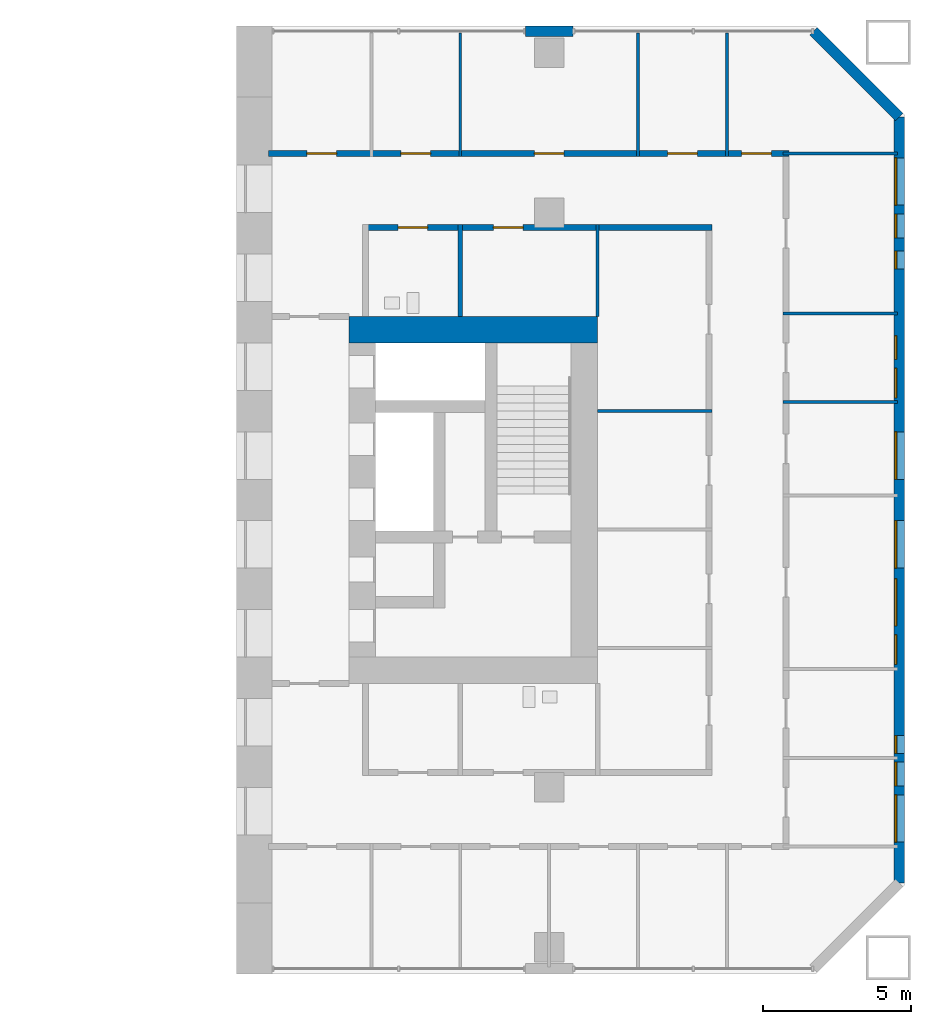
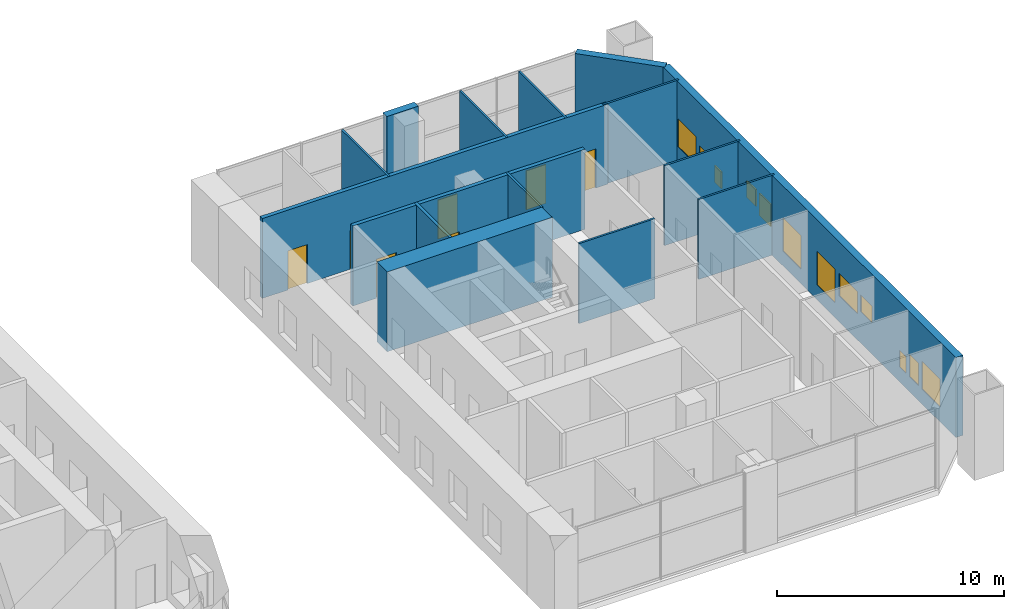
# One storey, part 16 of 19: 15 walls, 12 windows, 7 doors, 19 openings.
"""IFC4 building model written with IfcOpenShell, lengths in metres."""

from ifc_helpers import new_model, si_unit, direction, frame, frame_2d, origin, place, context, subcontext, project, spatial, rectangle, extrude, material, layer, layer_set, type_object, element, fill, save


model = new_model("IFC4")

# Units and contexts
model_context = context("Model", 3, precision=1e-05, world=origin(), true_north=direction((0.0, 1.0)))
body_context = subcontext(model_context, "Body", "Model", "MODEL_VIEW")
ifc_project = project(units=[si_unit("LENGTHUNIT", "METRE"), si_unit("AREAUNIT", "SQUARE_METRE"), si_unit("VOLUMEUNIT", "CUBIC_METRE"), si_unit("PLANEANGLEUNIT", "RADIAN"), si_unit("MASSUNIT", "GRAM", prefix="KILO")], contexts=[model_context])

# Site, building, storey
site_placement = place(None, origin())
site = spatial("IfcSite", under=ifc_project, at=site_placement, CompositionType="ELEMENT")
building_placement = place(site_placement, origin())
building = spatial("IfcBuilding", under=site, at=building_placement, Name="Tuart Gate Housing", CompositionType="ELEMENT")
storey_placement = place(building_placement, frame((0.0, 0.0, 10.10009765625)))
storey = spatial("IfcBuildingStorey", under=building, at=storey_placement, Name="L02", CompositionType="ELEMENT", Elevation=10.10009765625)

# Wall
ifc_material_1 = material(Name="Gypsum board on steel studs", Category="steel")
ifc_layer_1 = layer(ifc_material_1, 0.14990234375)
ifc_layer_set_1 = layer_set([ifc_layer_1], Name="Bathroom wall 150")
wall_type_1 = type_object("IfcWallType", Name="Bathroom wall 150", PredefinedType="PLUMBINGWALL", material=ifc_layer_set_1)
wall_1_placement = place(storey_placement, frame((164.0, 76.199951171875, 0.0), z_axis=(0.0, 0.0, 1.0), x_axis=(0.0, 1.0, 0.0)))
element("IfcWall", 1, at=wall_1_placement, inside=storey, type_object=wall_type_1, Name="Bathroom wall 150", PredefinedType="PLUMBINGWALL", context=body_context, shape_type="SweptSolid", body=[
    extrude(rectangle(XDim=3.10009765625, YDim=0.14990234375, at=frame_2d((1.550048828125, 0.0))), origin(), (0.0, 0.0, 1.0), 4.2998046875),
])

# Wall, openings, windows
ifc_material_2 = material(Name="Brick", Category="masonry")
ifc_layer_2 = layer(ifc_material_2, 0.360107421875)
ifc_layer_set_2 = layer_set([ifc_layer_2], Name="Brick pier and spandrel wall 360")
wall_type_2 = type_object("IfcWallType", Name="Brick pier and spandrel wall 360", PredefinedType="STANDARD", material=ifc_layer_set_2)
wall_2_placement = place(storey_placement, frame((178.820068359375, 57.07470703125, 0.0), z_axis=(0.0, 0.0, 1.0), x_axis=(0.0, 1.0, 0.0)))
wall_2 = element("IfcWall", 2, at=wall_2_placement, inside=storey, type_object=wall_type_2, Name="External wall B-E L02", PredefinedType="STANDARD", context=body_context, shape_type="SweptSolid", body=[
    extrude(rectangle(XDim=25.850830078125, YDim=0.360107421875, at=frame_2d((12.92529296875, 0.0))), origin(), (0.0, 0.0, 1.0), 4.2998046875),
])
opening_1_placement = place(wall_2_placement, frame((1.37548828125, 0.0, 0.800048828125)))
opening_1 = element("IfcOpeningElement", 3, at=opening_1_placement, cuts=wall_2, Name="Opening W1F", PredefinedType="OPENING", context=body_context, shape_type="SweptSolid", body=[
    extrude(rectangle(XDim=1.60009765625, YDim=1.5, at=frame_2d((0.800048828125, 0.75))), frame((0.0, 0.18994140625, 0.0), z_axis=(0.0, -1.0, 0.0), x_axis=(1.0, 0.0, 0.0)), (0.0, 0.0, 1.0), 0.380126953125),
])
opening_2_placement = place(wall_2_placement, frame((4.37548828125, 0.0, 0.800048828125)))
opening_2 = element("IfcOpeningElement", 4, at=opening_2_placement, cuts=wall_2, Name="Opening W1W", PredefinedType="OPENING", context=body_context, shape_type="SweptSolid", body=[
    extrude(rectangle(XDim=0.60009765625, YDim=0.89990234375, at=frame_2d((0.300048828125, 0.449951171875))), frame((0.0, 0.18994140625, 0.0), z_axis=(0.0, -1.0, 0.0), x_axis=(1.0, 0.0, 0.0)), (0.0, 0.0, 1.0), 0.380126953125),
])
opening_3_placement = place(wall_2_placement, frame((7.37548828125, 0.0, 1.699951171875)))
opening_3 = element("IfcOpeningElement", 5, at=opening_3_placement, cuts=wall_2, Name="Opening W1U", PredefinedType="OPENING", context=body_context, shape_type="SweptSolid", body=[
    extrude(rectangle(XDim=1.0, YDim=0.89990234375, at=frame_2d((0.5, 0.449951171875))), frame((0.0, 0.18994140625, 0.0), z_axis=(0.0, -1.0, 0.0), x_axis=(1.0, 0.0, 0.0)), (0.0, 0.0, 1.0), 0.380126953125),
])
opening_4_placement = place(wall_2_placement, frame((10.62548828125, 0.0, 0.800048828125)))
opening_4 = element("IfcOpeningElement", 6, at=opening_4_placement, cuts=wall_2, Name="Opening W1", PredefinedType="OPENING", context=body_context, shape_type="SweptSolid", body=[
    extrude(rectangle(XDim=1.60009765625, YDim=1.800048828125, at=frame_2d((0.800048828125, 0.89990234375))), frame((0.0, 0.18994140625, 0.0), z_axis=(0.0, -1.0, 0.0), x_axis=(1.0, 0.0, 0.0)), (0.0, 0.0, 1.0), 0.380126953125),
])
opening_5_placement = place(wall_2_placement, frame((13.62548828125, 0.0, 0.800048828125)))
opening_5 = element("IfcOpeningElement", 7, at=opening_5_placement, cuts=wall_2, Name="Opening W1", PredefinedType="OPENING", context=body_context, shape_type="SweptSolid", body=[
    extrude(rectangle(XDim=1.60009765625, YDim=1.800048828125, at=frame_2d((0.800048828125, 0.89990234375))), frame((0.0, 0.18994140625, 0.0), z_axis=(0.0, -1.0, 0.0), x_axis=(1.0, 0.0, 0.0)), (0.0, 0.0, 1.0), 0.380126953125),
])
opening_6_placement = place(wall_2_placement, frame((16.37548828125, 0.0, 1.39990234375)))
opening_6 = element("IfcOpeningElement", 8, at=opening_6_placement, cuts=wall_2, Name="Opening W1O", PredefinedType="OPENING", context=body_context, shape_type="SweptSolid", body=[
    extrude(rectangle(XDim=1.0, YDim=1.199951171875, at=frame_2d((0.5, 0.60009765625))), frame((0.0, 0.18994140625, 0.0), z_axis=(0.0, -1.0, 0.0), x_axis=(1.0, 0.0, 0.0)), (0.0, 0.0, 1.0), 0.380126953125),
])
opening_7_placement = place(wall_2_placement, frame((20.725341796875, 0.0, 0.800048828125)))
opening_7 = element("IfcOpeningElement", 9, at=opening_7_placement, cuts=wall_2, Name="Opening W1W", PredefinedType="OPENING", context=body_context, shape_type="SweptSolid", body=[
    extrude(rectangle(XDim=0.60009765625, YDim=0.89990234375, at=frame_2d((0.300048828125, 0.449951171875))), frame((0.0, 0.18994140625, 0.0), z_axis=(0.0, -1.0, 0.0), x_axis=(1.0, 0.0, 0.0)), (0.0, 0.0, 1.0), 0.380126953125),
])
opening_8_placement = place(wall_2_placement, frame((21.775390625, 0.0, 0.800048828125)))
opening_8 = element("IfcOpeningElement", 10, at=opening_8_placement, cuts=wall_2, Name="Opening W1P", PredefinedType="OPENING", context=body_context, shape_type="SweptSolid", body=[
    extrude(rectangle(XDim=0.800048828125, YDim=1.199951171875, at=frame_2d((0.39990234375, 0.60009765625))), frame((0.0, 0.18994140625, 0.0), z_axis=(0.0, -1.0, 0.0), x_axis=(1.0, 0.0, 0.0)), (0.0, 0.0, 1.0), 0.380126953125),
])
opening_9_placement = place(wall_2_placement, frame((3.275390625, 0.0, 0.800048828125)))
opening_9 = element("IfcOpeningElement", 11, at=opening_9_placement, cuts=wall_2, Name="Opening W1P", PredefinedType="OPENING", context=body_context, shape_type="SweptSolid", body=[
    extrude(rectangle(XDim=0.800048828125, YDim=1.199951171875, at=frame_2d((0.39990234375, 0.60009765625))), frame((0.0, 0.18994140625, 0.0), z_axis=(0.0, -1.0, 0.0), x_axis=(1.0, 0.0, 0.0)), (0.0, 0.0, 1.0), 0.380126953125),
])
opening_10_placement = place(wall_2_placement, frame((8.67529296875, 0.0, 1.39990234375)))
opening_10 = element("IfcOpeningElement", 12, at=opening_10_placement, cuts=wall_2, Name="Opening W1L", PredefinedType="OPENING", context=body_context, shape_type="SweptSolid", body=[
    extrude(rectangle(XDim=1.60009765625, YDim=1.199951171875, at=frame_2d((0.800048828125, 0.60009765625))), frame((0.0, 0.18994140625, 0.0), z_axis=(0.0, -1.0, 0.0), x_axis=(1.0, 0.0, 0.0)), (0.0, 0.0, 1.0), 0.380126953125),
])
opening_11_placement = place(wall_2_placement, frame((17.67529296875, 0.0, 1.699951171875)))
opening_11 = element("IfcOpeningElement", 13, at=opening_11_placement, cuts=wall_2, Name="Opening W1V", PredefinedType="OPENING", context=body_context, shape_type="SweptSolid", body=[
    extrude(rectangle(XDim=0.800048828125, YDim=0.89990234375, at=frame_2d((0.39990234375, 0.449951171875))), frame((0.0, 0.18994140625, 0.0), z_axis=(0.0, -1.0, 0.0), x_axis=(1.0, 0.0, 0.0)), (0.0, 0.0, 1.0), 0.380126953125),
])
opening_12_placement = place(wall_2_placement, frame((22.87548828125, 0.0, 0.800048828125)))
opening_12 = element("IfcOpeningElement", 14, at=opening_12_placement, cuts=wall_2, Name="Opening W1F", PredefinedType="OPENING", context=body_context, shape_type="SweptSolid", body=[
    extrude(rectangle(XDim=1.60009765625, YDim=1.5, at=frame_2d((0.800048828125, 0.75))), frame((0.0, 0.18994140625, 0.0), z_axis=(0.0, -1.0, 0.0), x_axis=(1.0, 0.0, 0.0)), (0.0, 0.0, 1.0), 0.380126953125),
])
ifc_material_3 = material(Name="Aluminium frame with clear glass", Category="aluminium")
window_type_1 = type_object("IfcWindowType", Name="Punched window 1000 x 1200", PartitioningType="SINGLE_PANEL", PredefinedType="WINDOW", material=ifc_material_3)
window_1_placement = place(opening_6_placement, origin())
window_1 = element("IfcWindow", 15, at=window_1_placement, inside=storey, type_object=window_type_1, Name="Window W1O", OverallHeight=1.199951171875, OverallWidth=1.0, PartitioningType="SINGLE_PANEL", PredefinedType="WINDOW", context=body_context, shape_type="SweptSolid", body=[
    extrude(rectangle(XDim=1.0, YDim=1.199951171875, at=frame_2d((0.5, 0.60009765625))), frame((0.0, 0.150146484375, 0.0), z_axis=(0.0, -1.0, 0.0), x_axis=(1.0, 0.0, 0.0)), (0.0, 0.0, 1.0), 0.06005859375),
])
fill(opening_6, window_1)
ifc_material_4 = material(Name="Aluminium frame with clear glass", Category="aluminium")
window_type_2 = type_object("IfcWindowType", Name="Punched window 1000 x 900", PartitioningType="SINGLE_PANEL", PredefinedType="WINDOW", material=ifc_material_4)
window_2_placement = place(opening_3_placement, origin())
window_2 = element("IfcWindow", 16, at=window_2_placement, inside=storey, type_object=window_type_2, Name="Window W1U", OverallHeight=0.89990234375, OverallWidth=1.0, PartitioningType="SINGLE_PANEL", PredefinedType="WINDOW", context=body_context, shape_type="SweptSolid", body=[
    extrude(rectangle(XDim=1.0, YDim=0.89990234375, at=frame_2d((0.5, 0.449951171875))), frame((0.0, 0.150146484375, 0.0), z_axis=(0.0, -1.0, 0.0), x_axis=(1.0, 0.0, 0.0)), (0.0, 0.0, 1.0), 0.06005859375),
])
fill(opening_3, window_2)
ifc_material_5 = material(Name="Aluminium frame with clear glass", Category="aluminium")
window_type_3 = type_object("IfcWindowType", Name="Punched window 1600 x 1200", PartitioningType="SINGLE_PANEL", PredefinedType="WINDOW", material=ifc_material_5)
window_3_placement = place(opening_10_placement, origin())
window_3 = element("IfcWindow", 17, at=window_3_placement, inside=storey, type_object=window_type_3, Name="Window W1L", OverallHeight=1.199951171875, OverallWidth=1.60009765625, PartitioningType="SINGLE_PANEL", PredefinedType="WINDOW", context=body_context, shape_type="SweptSolid", body=[
    extrude(rectangle(XDim=1.60009765625, YDim=1.199951171875, at=frame_2d((0.800048828125, 0.60009765625))), frame((0.0, 0.150146484375, 0.0), z_axis=(0.0, -1.0, 0.0), x_axis=(1.0, 0.0, 0.0)), (0.0, 0.0, 1.0), 0.06005859375),
])
fill(opening_10, window_3)
ifc_material_6 = material(Name="Aluminium frame with clear glass", Category="aluminium")
window_type_4 = type_object("IfcWindowType", Name="Punched window 1600 x 1500", PartitioningType="SINGLE_PANEL", PredefinedType="WINDOW", material=ifc_material_6)
window_4_placement = place(opening_1_placement, origin())
window_4 = element("IfcWindow", 18, at=window_4_placement, inside=storey, type_object=window_type_4, Name="Window W1F", OverallHeight=1.5, OverallWidth=1.60009765625, PartitioningType="SINGLE_PANEL", PredefinedType="WINDOW", context=body_context, shape_type="SweptSolid", body=[
    extrude(rectangle(XDim=1.60009765625, YDim=1.5, at=frame_2d((0.800048828125, 0.75))), frame((0.0, 0.150146484375, 0.0), z_axis=(0.0, -1.0, 0.0), x_axis=(1.0, 0.0, 0.0)), (0.0, 0.0, 1.0), 0.06005859375),
])
fill(opening_1, window_4)
window_5_placement = place(opening_12_placement, origin())
window_5 = element("IfcWindow", 19, at=window_5_placement, inside=storey, type_object=window_type_4, Name="Window W1F", OverallHeight=1.5, OverallWidth=1.60009765625, PartitioningType="SINGLE_PANEL", PredefinedType="WINDOW", context=body_context, shape_type="SweptSolid", body=[
    extrude(rectangle(XDim=1.60009765625, YDim=1.5, at=frame_2d((0.800048828125, 0.75))), frame((0.0, 0.150146484375, 0.0), z_axis=(0.0, -1.0, 0.0), x_axis=(1.0, 0.0, 0.0)), (0.0, 0.0, 1.0), 0.06005859375),
])
fill(opening_12, window_5)
ifc_material_7 = material(Name="Aluminium frame with clear glass", Category="aluminium")
window_type_5 = type_object("IfcWindowType", Name="Punched window 1600 x 1800", PartitioningType="SINGLE_PANEL", PredefinedType="WINDOW", material=ifc_material_7)
window_6_placement = place(opening_4_placement, origin())
window_6 = element("IfcWindow", 20, at=window_6_placement, inside=storey, type_object=window_type_5, Name="Window W1", OverallHeight=1.800048828125, OverallWidth=1.60009765625, PartitioningType="SINGLE_PANEL", PredefinedType="WINDOW", context=body_context, shape_type="SweptSolid", body=[
    extrude(rectangle(XDim=1.60009765625, YDim=1.800048828125, at=frame_2d((0.800048828125, 0.89990234375))), frame((0.0, 0.150146484375, 0.0), z_axis=(0.0, -1.0, 0.0), x_axis=(1.0, 0.0, 0.0)), (0.0, 0.0, 1.0), 0.06005859375),
])
fill(opening_4, window_6)
window_7_placement = place(opening_5_placement, origin())
window_7 = element("IfcWindow", 21, at=window_7_placement, inside=storey, type_object=window_type_5, Name="Window W1", OverallHeight=1.800048828125, OverallWidth=1.60009765625, PartitioningType="SINGLE_PANEL", PredefinedType="WINDOW", context=body_context, shape_type="SweptSolid", body=[
    extrude(rectangle(XDim=1.60009765625, YDim=1.800048828125, at=frame_2d((0.800048828125, 0.89990234375))), frame((0.0, 0.150146484375, 0.0), z_axis=(0.0, -1.0, 0.0), x_axis=(1.0, 0.0, 0.0)), (0.0, 0.0, 1.0), 0.06005859375),
])
fill(opening_5, window_7)
ifc_material_8 = material(Name="Aluminium frame with clear glass", Category="aluminium")
window_type_6 = type_object("IfcWindowType", Name="Punched window 600 x 900", PartitioningType="SINGLE_PANEL", PredefinedType="WINDOW", material=ifc_material_8)
window_8_placement = place(opening_2_placement, origin())
window_8 = element("IfcWindow", 22, at=window_8_placement, inside=storey, type_object=window_type_6, Name="Window W1W", OverallHeight=0.89990234375, OverallWidth=0.60009765625, PartitioningType="SINGLE_PANEL", PredefinedType="WINDOW", context=body_context, shape_type="SweptSolid", body=[
    extrude(rectangle(XDim=0.60009765625, YDim=0.89990234375, at=frame_2d((0.300048828125, 0.449951171875))), frame((0.0, 0.150146484375, 0.0), z_axis=(0.0, -1.0, 0.0), x_axis=(1.0, 0.0, 0.0)), (0.0, 0.0, 1.0), 0.06005859375),
])
fill(opening_2, window_8)
window_9_placement = place(opening_7_placement, origin())
window_9 = element("IfcWindow", 23, at=window_9_placement, inside=storey, type_object=window_type_6, Name="Window W1W", OverallHeight=0.89990234375, OverallWidth=0.60009765625, PartitioningType="SINGLE_PANEL", PredefinedType="WINDOW", context=body_context, shape_type="SweptSolid", body=[
    extrude(rectangle(XDim=0.60009765625, YDim=0.89990234375, at=frame_2d((0.300048828125, 0.449951171875))), frame((0.0, 0.150146484375, 0.0), z_axis=(0.0, -1.0, 0.0), x_axis=(1.0, 0.0, 0.0)), (0.0, 0.0, 1.0), 0.06005859375),
])
fill(opening_7, window_9)
ifc_material_9 = material(Name="Aluminium frame with clear glass", Category="aluminium")
window_type_7 = type_object("IfcWindowType", Name="Punched window 800 x 1200", PartitioningType="SINGLE_PANEL", PredefinedType="WINDOW", material=ifc_material_9)
window_10_placement = place(opening_8_placement, origin())
window_10 = element("IfcWindow", 24, at=window_10_placement, inside=storey, type_object=window_type_7, Name="Window W1P", OverallHeight=1.199951171875, OverallWidth=0.800048828125, PartitioningType="SINGLE_PANEL", PredefinedType="WINDOW", context=body_context, shape_type="SweptSolid", body=[
    extrude(rectangle(XDim=0.800048828125, YDim=1.199951171875, at=frame_2d((0.39990234375, 0.60009765625))), frame((0.0, 0.150146484375, 0.0), z_axis=(0.0, -1.0, 0.0), x_axis=(1.0, 0.0, 0.0)), (0.0, 0.0, 1.0), 0.06005859375),
])
fill(opening_8, window_10)
window_11_placement = place(opening_9_placement, origin())
window_11 = element("IfcWindow", 25, at=window_11_placement, inside=storey, type_object=window_type_7, Name="Window W1P", OverallHeight=1.199951171875, OverallWidth=0.800048828125, PartitioningType="SINGLE_PANEL", PredefinedType="WINDOW", context=body_context, shape_type="SweptSolid", body=[
    extrude(rectangle(XDim=0.800048828125, YDim=1.199951171875, at=frame_2d((0.39990234375, 0.60009765625))), frame((0.0, 0.150146484375, 0.0), z_axis=(0.0, -1.0, 0.0), x_axis=(1.0, 0.0, 0.0)), (0.0, 0.0, 1.0), 0.06005859375),
])
fill(opening_9, window_11)
ifc_material_10 = material(Name="Aluminium frame with clear glass", Category="aluminium")
window_type_8 = type_object("IfcWindowType", Name="Punched window 800 x 900", PartitioningType="SINGLE_PANEL", PredefinedType="WINDOW", material=ifc_material_10)
window_12_placement = place(opening_11_placement, origin())
window_12 = element("IfcWindow", 26, at=window_12_placement, inside=storey, type_object=window_type_8, Name="Window W1V", OverallHeight=0.89990234375, OverallWidth=0.800048828125, PartitioningType="SINGLE_PANEL", PredefinedType="WINDOW", context=body_context, shape_type="SweptSolid", body=[
    extrude(rectangle(XDim=0.800048828125, YDim=0.89990234375, at=frame_2d((0.39990234375, 0.449951171875))), frame((0.0, 0.150146484375, 0.0), z_axis=(0.0, -1.0, 0.0), x_axis=(1.0, 0.0, 0.0)), (0.0, 0.0, 1.0), 0.06005859375),
])
fill(opening_11, window_12)

# Walls
wall_3_placement = place(storey_placement, frame((178.820068359375, 82.92529296875, 0.0), z_axis=(0.0, 0.0, 1.0), x_axis=(-0.707106781187, 0.707106781187, 0.0)))
element("IfcWall", 27, at=wall_3_placement, inside=storey, type_object=wall_type_2, Name="External wall B-NE L02", PredefinedType="STANDARD", context=body_context, shape_type="SweptSolid", body=[
    extrude(rectangle(XDim=4.09375, YDim=0.360107421875, at=frame_2d((2.046875, 0.0))), origin(), (0.0, 0.0, 1.0), 4.2998046875),
])
wall_4_placement = place(storey_placement, frame((167.800048828125, 85.820068359375, 0.0), z_axis=(0.0, 0.0, 1.0), x_axis=(-1.0, 0.0, 0.0)))
element("IfcWall", 28, at=wall_4_placement, inside=storey, type_object=wall_type_2, Name="External wall B-N L02", PredefinedType="STANDARD", context=body_context, shape_type="SweptSolid", body=[
    extrude(rectangle(XDim=1.60009765625, YDim=0.360107421875, at=frame_2d((0.800048828125, 0.0))), origin(), (0.0, 0.0, 1.0), 4.2998046875),
])
ifc_material_11 = material(Name="Concrete C60", Category="concrete")
ifc_layer_3 = layer(ifc_material_11, 0.89990234375)
ifc_layer_set_3 = layer_set([ifc_layer_3], Name="Core wall 900 C60")
wall_type_3 = type_object("IfcWallType", Name="Core wall 900 C60", PredefinedType="SHEAR", material=ifc_layer_set_3)
wall_5_placement = place(storey_placement, frame((160.239990234375, 75.75, 0.0), z_axis=(0.0, 0.0, 1.0), x_axis=(1.0, 0.0, 0.0)))
element("IfcWall", 29, at=wall_5_placement, inside=storey, type_object=wall_type_3, Name="Core wall BK south", PredefinedType="SHEAR", context=body_context, shape_type="SweptSolid", body=[
    extrude(rectangle(XDim=8.39990234375, YDim=0.89990234375, at=frame_2d((4.199951171875, 0.0))), origin(), (0.0, 0.0, 1.0), 4.2998046875),
])

# Wall, openings, doors
ifc_material_12 = material(Name="Concrete masonry 15 MPa", Category="masonry")
ifc_layer_4 = layer(ifc_material_12, 0.199951171875)
ifc_layer_set_4 = layer_set([ifc_layer_4], Name="Corridor wall masonry 200")
wall_type_4 = type_object("IfcWallType", Name="Corridor wall masonry 200", PredefinedType="PARTITIONING", material=ifc_layer_set_4)
wall_6_placement = place(storey_placement, frame((160.699951171875, 79.199951171875, 0.0), z_axis=(0.0, 0.0, 1.0), x_axis=(1.0, 0.0, 0.0)))
wall_6 = element("IfcWall", 30, at=wall_6_placement, inside=storey, type_object=wall_type_4, Name="Corridor wall masonry 200", PredefinedType="PARTITIONING", context=body_context, shape_type="SweptSolid", body=[
    extrude(rectangle(XDim=11.800048828125, YDim=0.199951171875, at=frame_2d((5.89990234375, 0.0))), origin(), (0.0, 0.0, 1.0), 4.2998046875),
])
opening_13_placement = place(wall_6_placement, frame((1.199951171875, 0.0, 0.0)))
opening_13 = element("IfcOpeningElement", 31, at=opening_13_placement, cuts=wall_6, Name="Opening D3210", PredefinedType="OPENING", context=body_context, shape_type="SweptSolid", body=[
    extrude(rectangle(XDim=1.0, YDim=2.10009765625, at=frame_2d((0.5, 1.050048828125))), frame((0.0, 0.10986328125, 0.0), z_axis=(0.0, -1.0, 0.0), x_axis=(1.0, 0.0, 0.0)), (0.0, 0.0, 1.0), 0.219970703125),
])
opening_14_placement = place(wall_6_placement, frame((4.419921875, 0.0, 0.0)))
opening_14 = element("IfcOpeningElement", 32, at=opening_14_placement, cuts=wall_6, Name="Opening D3211", PredefinedType="OPENING", context=body_context, shape_type="SweptSolid", body=[
    extrude(rectangle(XDim=1.0, YDim=2.10009765625, at=frame_2d((0.5, 1.050048828125))), frame((0.0, 0.10986328125, 0.0), z_axis=(0.0, -1.0, 0.0), x_axis=(1.0, 0.0, 0.0)), (0.0, 0.0, 1.0), 0.219970703125),
])
ifc_material_13 = material(Name="Timber door leaf in steel frame", Category="steel")
door_type_1 = type_object("IfcDoorType", Name="Fire door 1000 RH", OperationType="SINGLE_SWING_RIGHT", PredefinedType="DOOR", material=ifc_material_13)
door_1_placement = place(opening_13_placement, frame((1.0, 0.0, 0.0), z_axis=(0.0, 0.0, 1.0), x_axis=(-1.0, 0.0, 0.0)))
door_1 = element("IfcDoor", 33, at=door_1_placement, inside=storey, type_object=door_type_1, Name="Fire door 1000", OperationType="SINGLE_SWING_RIGHT", OverallHeight=2.10009765625, OverallWidth=1.0, PredefinedType="DOOR", context=body_context, shape_type="SweptSolid", body=[
    extrude(rectangle(XDim=1.0, YDim=2.10009765625, at=frame_2d((0.5, 1.050048828125))), frame((0.0, 0.025146484375, 0.0), z_axis=(0.0, -1.0, 0.0), x_axis=(1.0, 0.0, 0.0)), (0.0, 0.0, 1.0), 0.050048828125),
])
fill(opening_13, door_1)
door_2_placement = place(opening_14_placement, frame((1.0, 0.0, 0.0), z_axis=(0.0, 0.0, 1.0), x_axis=(-1.0, 0.0, 0.0)))
door_2 = element("IfcDoor", 34, at=door_2_placement, inside=storey, type_object=door_type_1, Name="Fire door 1000", OperationType="SINGLE_SWING_RIGHT", OverallHeight=2.10009765625, OverallWidth=1.0, PredefinedType="DOOR", context=body_context, shape_type="SweptSolid", body=[
    extrude(rectangle(XDim=1.0, YDim=2.10009765625, at=frame_2d((0.5, 1.050048828125))), frame((0.0, 0.025146484375, 0.0), z_axis=(0.0, -1.0, 0.0), x_axis=(1.0, 0.0, 0.0)), (0.0, 0.0, 1.0), 0.050048828125),
])
fill(opening_14, door_2)

wall_7_placement = place(storey_placement, frame((157.530029296875, 81.699951171875, 0.0), z_axis=(0.0, 0.0, 1.0), x_axis=(1.0, 0.0, 0.0)))
wall_7 = element("IfcWall", 35, at=wall_7_placement, inside=storey, type_object=wall_type_4, Name="Corridor wall masonry 200", PredefinedType="PARTITIONING", context=body_context, shape_type="SweptSolid", body=[
    extrude(rectangle(XDim=17.572021484375, YDim=0.199951171875, at=frame_2d((8.7861328125, 0.0))), origin(), (0.0, 0.0, 1.0), 4.2998046875),
])
opening_15_placement = place(wall_7_placement, frame((1.294921875, 0.0, 0.0)))
opening_15 = element("IfcOpeningElement", 36, at=opening_15_placement, cuts=wall_7, Name="Opening D3203", PredefinedType="OPENING", context=body_context, shape_type="SweptSolid", body=[
    extrude(rectangle(XDim=1.0, YDim=2.10009765625, at=frame_2d((0.5, 1.050048828125))), frame((0.0, 0.10986328125, 0.0), z_axis=(0.0, -1.0, 0.0), x_axis=(1.0, 0.0, 0.0)), (0.0, 0.0, 1.0), 0.219970703125),
])
opening_16_placement = place(wall_7_placement, frame((4.469970703125, 0.0, 0.0)))
opening_16 = element("IfcOpeningElement", 37, at=opening_16_placement, cuts=wall_7, Name="Opening D3204", PredefinedType="OPENING", context=body_context, shape_type="SweptSolid", body=[
    extrude(rectangle(XDim=1.0, YDim=2.10009765625, at=frame_2d((0.5, 1.050048828125))), frame((0.0, 0.10986328125, 0.0), z_axis=(0.0, -1.0, 0.0), x_axis=(1.0, 0.0, 0.0)), (0.0, 0.0, 1.0), 0.219970703125),
])
opening_17_placement = place(wall_7_placement, frame((8.969970703125, 0.0, 0.0)))
opening_17 = element("IfcOpeningElement", 38, at=opening_17_placement, cuts=wall_7, Name="Opening D3205", PredefinedType="OPENING", context=body_context, shape_type="SweptSolid", body=[
    extrude(rectangle(XDim=1.0, YDim=2.10009765625, at=frame_2d((0.5, 1.050048828125))), frame((0.0, 0.10986328125, 0.0), z_axis=(0.0, -1.0, 0.0), x_axis=(1.0, 0.0, 0.0)), (0.0, 0.0, 1.0), 0.219970703125),
])
opening_18_placement = place(wall_7_placement, frame((13.469970703125, 0.0, 0.0)))
opening_18 = element("IfcOpeningElement", 39, at=opening_18_placement, cuts=wall_7, Name="Opening D3206", PredefinedType="OPENING", context=body_context, shape_type="SweptSolid", body=[
    extrude(rectangle(XDim=1.0, YDim=2.10009765625, at=frame_2d((0.5, 1.050048828125))), frame((0.0, 0.10986328125, 0.0), z_axis=(0.0, -1.0, 0.0), x_axis=(1.0, 0.0, 0.0)), (0.0, 0.0, 1.0), 0.219970703125),
])
opening_19_placement = place(wall_7_placement, frame((15.970947265625, 0.0, 0.0)))
opening_19 = element("IfcOpeningElement", 40, at=opening_19_placement, cuts=wall_7, Name="Opening D3207", PredefinedType="OPENING", context=body_context, shape_type="SweptSolid", body=[
    extrude(rectangle(XDim=1.0, YDim=2.10009765625, at=frame_2d((0.5, 1.050048828125))), frame((0.0, 0.10986328125, 0.0), z_axis=(0.0, -1.0, 0.0), x_axis=(1.0, 0.0, 0.0)), (0.0, 0.0, 1.0), 0.219970703125),
])
ifc_material_14 = material(Name="Timber door leaf in steel frame", Category="steel")
door_type_2 = type_object("IfcDoorType", Name="Fire door 1000", OperationType="SINGLE_SWING_LEFT", PredefinedType="DOOR", material=ifc_material_14)
door_3_placement = place(opening_15_placement, origin())
door_3 = element("IfcDoor", 41, at=door_3_placement, inside=storey, type_object=door_type_2, Name="Fire door 1000", OperationType="SINGLE_SWING_LEFT", OverallHeight=2.10009765625, OverallWidth=1.0, PredefinedType="DOOR", context=body_context, shape_type="SweptSolid", body=[
    extrude(rectangle(XDim=1.0, YDim=2.10009765625, at=frame_2d((0.5, 1.050048828125))), frame((0.0, 0.02490234375, 0.0), z_axis=(0.0, -1.0, 0.0), x_axis=(1.0, 0.0, 0.0)), (0.0, 0.0, 1.0), 0.050048828125),
])
fill(opening_15, door_3)
door_4_placement = place(opening_16_placement, origin())
door_4 = element("IfcDoor", 42, at=door_4_placement, inside=storey, type_object=door_type_2, Name="Fire door 1000", OperationType="SINGLE_SWING_LEFT", OverallHeight=2.10009765625, OverallWidth=1.0, PredefinedType="DOOR", context=body_context, shape_type="SweptSolid", body=[
    extrude(rectangle(XDim=1.0, YDim=2.10009765625, at=frame_2d((0.5, 1.050048828125))), frame((0.0, 0.02490234375, 0.0), z_axis=(0.0, -1.0, 0.0), x_axis=(1.0, 0.0, 0.0)), (0.0, 0.0, 1.0), 0.050048828125),
])
fill(opening_16, door_4)
door_5_placement = place(opening_17_placement, origin())
door_5 = element("IfcDoor", 43, at=door_5_placement, inside=storey, type_object=door_type_2, Name="Fire door 1000", OperationType="SINGLE_SWING_LEFT", OverallHeight=2.10009765625, OverallWidth=1.0, PredefinedType="DOOR", context=body_context, shape_type="SweptSolid", body=[
    extrude(rectangle(XDim=1.0, YDim=2.10009765625, at=frame_2d((0.5, 1.050048828125))), frame((0.0, 0.02490234375, 0.0), z_axis=(0.0, -1.0, 0.0), x_axis=(1.0, 0.0, 0.0)), (0.0, 0.0, 1.0), 0.050048828125),
])
fill(opening_17, door_5)
door_6_placement = place(opening_18_placement, origin())
door_6 = element("IfcDoor", 44, at=door_6_placement, inside=storey, type_object=door_type_2, Name="Fire door 1000", OperationType="SINGLE_SWING_LEFT", OverallHeight=2.10009765625, OverallWidth=1.0, PredefinedType="DOOR", context=body_context, shape_type="SweptSolid", body=[
    extrude(rectangle(XDim=1.0, YDim=2.10009765625, at=frame_2d((0.5, 1.050048828125))), frame((0.0, 0.02490234375, 0.0), z_axis=(0.0, -1.0, 0.0), x_axis=(1.0, 0.0, 0.0)), (0.0, 0.0, 1.0), 0.050048828125),
])
fill(opening_18, door_6)
door_7_placement = place(opening_19_placement, origin())
door_7 = element("IfcDoor", 45, at=door_7_placement, inside=storey, type_object=door_type_2, Name="Fire door 1000", OperationType="SINGLE_SWING_LEFT", OverallHeight=2.10009765625, OverallWidth=1.0, PredefinedType="DOOR", context=body_context, shape_type="SweptSolid", body=[
    extrude(rectangle(XDim=1.0, YDim=2.10009765625, at=frame_2d((0.5, 1.050048828125))), frame((0.0, 0.02490234375, 0.0), z_axis=(0.0, -1.0, 0.0), x_axis=(1.0, 0.0, 0.0)), (0.0, 0.0, 1.0), 0.050048828125),
])
fill(opening_19, door_7)

# Walls
ifc_material_15 = material(Name="Gypsum board on steel studs", Category="steel")
ifc_layer_5 = layer(ifc_material_15, 0.10009765625)
ifc_layer_set_5 = layer_set([ifc_layer_5], Name="Partition 100")
wall_type_5 = type_object("IfcWallType", Name="Partition 100", PredefinedType="PARTITIONING", material=ifc_layer_set_5)
for number, where, z_axis, x_axis, name in (
    (46, (168.639892578125, 73.0, 0.0), (0.0, 0.0, 1.0), (1.0, 0.0, 0.0), "Partition 100"),
    (47, (174.89990234375, 73.300048828125, 0.0), (0.0, 0.0, 1.0), (1.0, 0.0, 0.0), "Partition 100"),
    (48, (174.89990234375, 76.300048828125, 0.0), (0.0, 0.0, 1.0), (1.0, 0.0, 0.0), "Partition 100"),
    (49, (174.89990234375, 81.699951171875, 0.0), (0.0, 0.0, 1.0), (1.0, 0.0, 0.0), "Partition 100"),
):
    element("IfcWall", number, at=place(storey_placement, frame(where, z_axis=z_axis, x_axis=x_axis)), inside=storey, type_object=wall_type_5, Name=name, PredefinedType="PARTITIONING", context=body_context, shape_type="SweptSolid", body=[
        extrude(rectangle(XDim=3.860107421875, YDim=0.10009765625, at=frame_2d((1.93017578125, 0.0))), origin(), (0.0, 0.0, 1.0), 4.2998046875),
    ])
wall_8_placement = place(storey_placement, frame((164.0, 81.60009765625, 0.0), z_axis=(0.0, 0.0, 1.0), x_axis=(0.0, 1.0, 0.0)))
element("IfcWall", 50, at=wall_8_placement, inside=storey, type_object=wall_type_5, Name="Partition 100", PredefinedType="PARTITIONING", context=body_context, shape_type="SweptSolid", body=[
    extrude(rectangle(XDim=4.159912109375, YDim=0.10009765625, at=frame_2d((2.080078125, 0.0))), origin(), (0.0, 0.0, 1.0), 4.2998046875),
])
wall_9_placement = place(storey_placement, frame((168.639892578125, 76.199951171875, 0.0), z_axis=(0.0, 0.0, 1.0), x_axis=(0.0, 1.0, 0.0)))
element("IfcWall", 51, at=wall_9_placement, inside=storey, type_object=wall_type_5, Name="Partition 100", PredefinedType="PARTITIONING", context=body_context, shape_type="SweptSolid", body=[
    extrude(rectangle(XDim=3.10009765625, YDim=0.10009765625, at=frame_2d((1.550048828125, 0.0))), origin(), (0.0, 0.0, 1.0), 4.2998046875),
])
for number, where, z_axis, x_axis, name in (
    (52, (170.0, 81.60009765625, 0.0), (0.0, 0.0, 1.0), (0.0, 1.0, 0.0), "Partition 100"),
    (53, (173.0, 81.60009765625, 0.0), (0.0, 0.0, 1.0), (0.0, 1.0, 0.0), "Partition 100"),
):
    element("IfcWall", number, at=place(storey_placement, frame(where, z_axis=z_axis, x_axis=x_axis)), inside=storey, type_object=wall_type_5, Name=name, PredefinedType="PARTITIONING", context=body_context, shape_type="SweptSolid", body=[
        extrude(rectangle(XDim=4.159912109375, YDim=0.10009765625, at=frame_2d((2.080078125, 0.0))), origin(), (0.0, 0.0, 1.0), 4.2998046875),
    ])

save(model, "model.ifc")
